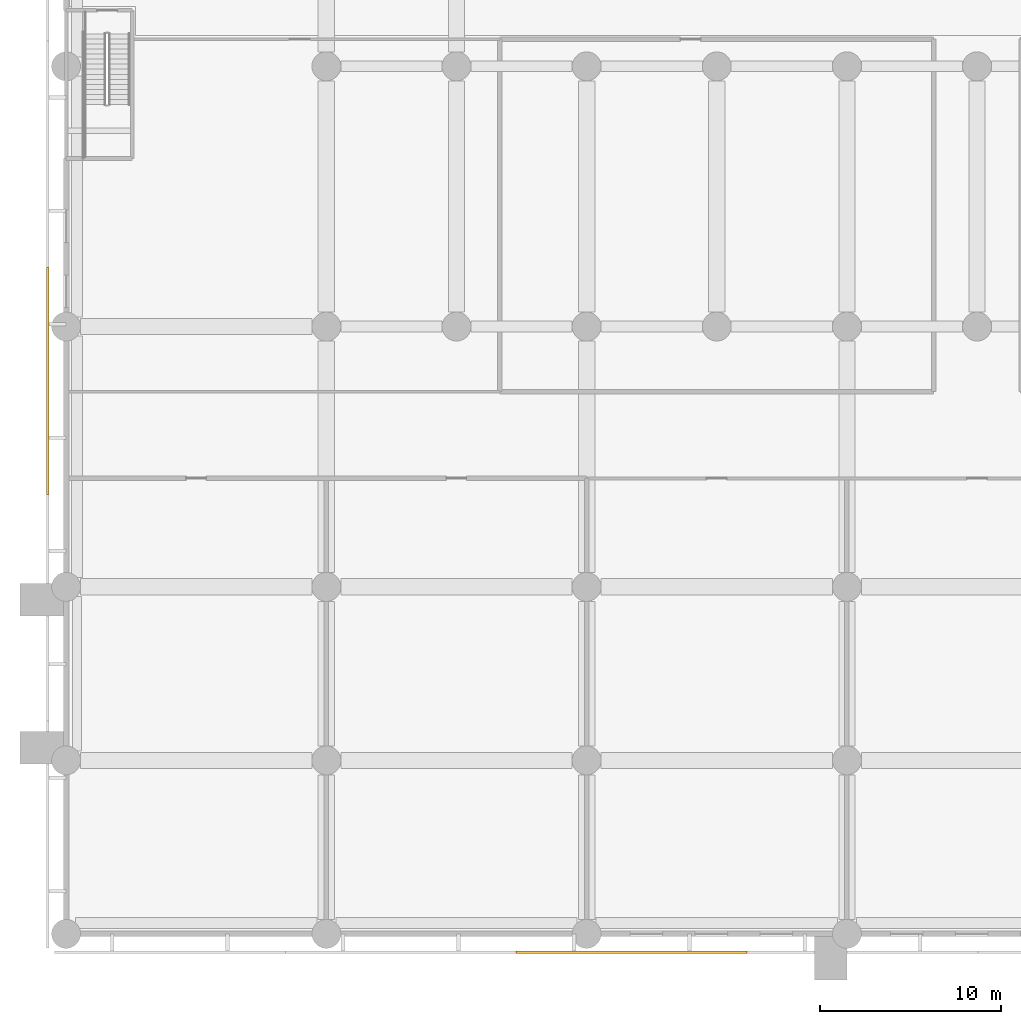
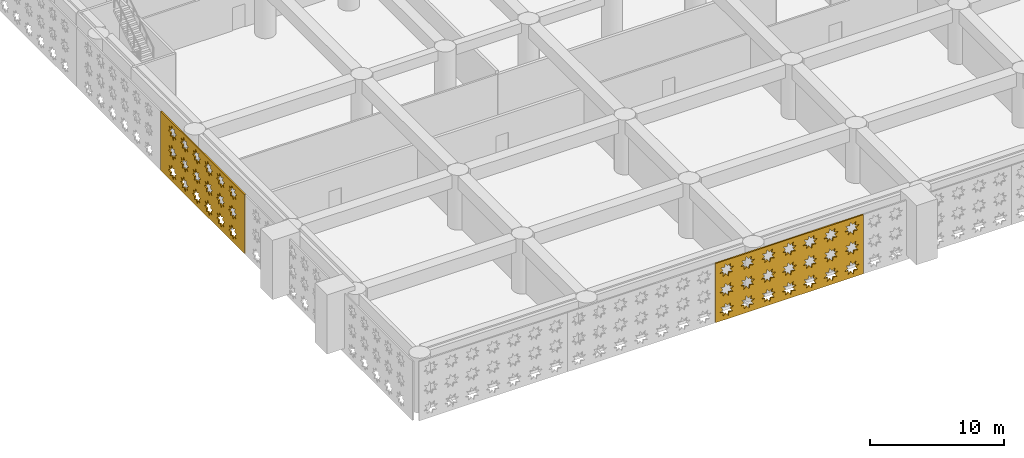
# One storey, part 15 of 30: 2 coverings.
"""IFC4 building model written with IfcOpenShell, lengths in metres."""

from ifc_helpers import new_model, si_unit, direction, frame, origin, place, context, subcontext, project, spatial, polyline, outline, extrude, material, layer, layer_set, type_object, element, save


model = new_model("IFC4")

# Units and contexts
model_context = context("Model", 3, precision=1e-05, world=origin(), true_north=direction((0.0, 1.0)))
body_context = subcontext(model_context, "Body", "Model", "MODEL_VIEW")
ifc_project = project(units=[si_unit("LENGTHUNIT", "METRE"), si_unit("AREAUNIT", "SQUARE_METRE"), si_unit("VOLUMEUNIT", "CUBIC_METRE"), si_unit("PLANEANGLEUNIT", "RADIAN"), si_unit("MASSUNIT", "GRAM", prefix="KILO")], contexts=[model_context])

# Site, building, storey
site_placement = place(None, origin())
site = spatial("IfcSite", under=ifc_project, at=site_placement, CompositionType="ELEMENT")
building_placement = place(site_placement, origin())
building = spatial("IfcBuilding", under=site, at=building_placement, Name="Saffron Iwan Residences", CompositionType="ELEMENT")
storey_placement = place(building_placement, frame((0.0, 0.0, 7.800048828125)))
storey = spatial("IfcBuildingStorey", under=building, at=storey_placement, Name="L01", CompositionType="ELEMENT", Elevation=7.800048828125)

# Coverings
ifc_material = material(Name="Terracotta screen, precast concrete C40/50", Category="masonry")
ifc_layer = layer(ifc_material, 0.1201171875)
ifc_layer_set = layer_set([ifc_layer], Name="Terracotta screen, precast concrete C40/50")
covering_type = type_object("IfcCoveringType", Name="PODIUM SCREEN GIRIH", PredefinedType="CLADDING", material=ifc_layer_set)
covering_1_placement = place(storey_placement, frame((24.905029296875, -0.949951171875, -0.400146484375), z_axis=(0.0, -1.0, 0.0), x_axis=(1.0, 0.0, 0.0)))
element("IfcCovering", 1, at=covering_1_placement, inside=storey, type_object=covering_type, Name="SCREEN girih terracotta L01 F0.2", PredefinedType="CLADDING", context=body_context, shape_type="SweptSolid", body=[
    extrude(outline(polyline([(0.0, 0.0), (12.777587890625, 0.0), (12.777587890625, 5.39990234375), (0.0, 5.39990234375), (0.0, 0.0)]), holes=[polyline([(1.5966796875, 1.02099609375), (1.271484375, 1.0888671875), (1.333251953125, 1.41552734375), (1.05517578125, 1.2333984375), (0.867919921875, 1.508056640625), (0.7998046875, 1.1826171875), (0.47314453125, 1.244384765625), (0.6552734375, 0.96630859375), (0.380615234375, 0.779052734375), (0.7060546875, 0.711181640625), (0.644287109375, 0.384521484375), (0.92236328125, 0.56640625), (1.109619140625, 0.2919921875), (1.177490234375, 0.6171875), (1.50439453125, 0.555419921875), (1.322265625, 0.833740234375), (1.5966796875, 1.02099609375)]), polyline([(1.5966796875, 2.821044921875), (1.271484375, 2.888916015625), (1.333251953125, 3.215576171875), (1.05517578125, 3.033447265625), (0.867919921875, 3.30810546875), (0.7998046875, 2.982666015625), (0.47314453125, 3.04443359375), (0.6552734375, 2.766357421875), (0.380615234375, 2.5791015625), (0.7060546875, 2.510986328125), (0.644287109375, 2.1845703125), (0.92236328125, 2.366455078125), (1.109619140625, 2.091796875), (1.177490234375, 2.417236328125), (1.50439453125, 2.35546875), (1.322265625, 2.6337890625), (1.5966796875, 2.821044921875)]), polyline([(1.5966796875, 4.62109375), (1.271484375, 4.68896484375), (1.333251953125, 5.015380859375), (1.05517578125, 4.83349609375), (0.867919921875, 5.108154296875), (0.7998046875, 4.78271484375), (0.47314453125, 4.844482421875), (0.6552734375, 4.56640625), (0.380615234375, 4.37890625), (0.7060546875, 4.31103515625), (0.644287109375, 3.984619140625), (0.92236328125, 4.16650390625), (1.109619140625, 3.891845703125), (1.177490234375, 4.21728515625), (1.50439453125, 4.155517578125), (1.322265625, 4.43359375), (1.5966796875, 4.62109375)]), polyline([(3.396728515625, 1.02099609375), (3.0712890625, 1.0888671875), (3.13330078125, 1.41552734375), (2.85498046875, 1.2333984375), (2.667724609375, 1.508056640625), (2.599853515625, 1.1826171875), (2.273193359375, 1.244384765625), (2.455322265625, 0.96630859375), (2.1806640625, 0.779052734375), (2.506103515625, 0.711181640625), (2.4443359375, 0.384521484375), (2.722412109375, 0.56640625), (2.90966796875, 0.2919921875), (2.9775390625, 0.6171875), (3.30419921875, 0.555419921875), (3.122314453125, 0.833740234375), (3.396728515625, 1.02099609375)]), polyline([(3.396728515625, 2.821044921875), (3.0712890625, 2.888916015625), (3.13330078125, 3.215576171875), (2.85498046875, 3.033447265625), (2.667724609375, 3.30810546875), (2.599853515625, 2.982666015625), (2.273193359375, 3.04443359375), (2.455322265625, 2.766357421875), (2.1806640625, 2.5791015625), (2.506103515625, 2.510986328125), (2.4443359375, 2.1845703125), (2.722412109375, 2.366455078125), (2.90966796875, 2.091796875), (2.9775390625, 2.417236328125), (3.30419921875, 2.35546875), (3.122314453125, 2.6337890625), (3.396728515625, 2.821044921875)]), polyline([(3.396728515625, 4.62109375), (3.0712890625, 4.68896484375), (3.13330078125, 5.015380859375), (2.85498046875, 4.83349609375), (2.667724609375, 5.108154296875), (2.599853515625, 4.78271484375), (2.273193359375, 4.844482421875), (2.455322265625, 4.56640625), (2.1806640625, 4.37890625), (2.506103515625, 4.31103515625), (2.4443359375, 3.984619140625), (2.722412109375, 4.16650390625), (2.90966796875, 3.891845703125), (2.9775390625, 4.21728515625), (3.30419921875, 4.155517578125), (3.122314453125, 4.43359375), (3.396728515625, 4.62109375)]), polyline([(5.19677734375, 1.02099609375), (4.871337890625, 1.0888671875), (4.93310546875, 1.41552734375), (4.655029296875, 1.2333984375), (4.4677734375, 1.508056640625), (4.39990234375, 1.1826171875), (4.0732421875, 1.244384765625), (4.25537109375, 0.96630859375), (3.980712890625, 0.779052734375), (4.30615234375, 0.711181640625), (4.244384765625, 0.384521484375), (4.5224609375, 0.56640625), (4.709716796875, 0.2919921875), (4.777587890625, 0.6171875), (5.104248046875, 0.555419921875), (4.922119140625, 0.833740234375), (5.19677734375, 1.02099609375)]), polyline([(5.19677734375, 2.821044921875), (4.871337890625, 2.888916015625), (4.93310546875, 3.215576171875), (4.655029296875, 3.033447265625), (4.4677734375, 3.30810546875), (4.39990234375, 2.982666015625), (4.0732421875, 3.04443359375), (4.25537109375, 2.766357421875), (3.980712890625, 2.5791015625), (4.30615234375, 2.510986328125), (4.244384765625, 2.1845703125), (4.5224609375, 2.366455078125), (4.709716796875, 2.091796875), (4.777587890625, 2.417236328125), (5.104248046875, 2.35546875), (4.922119140625, 2.6337890625), (5.19677734375, 2.821044921875)]), polyline([(5.19677734375, 4.62109375), (4.871337890625, 4.68896484375), (4.93310546875, 5.015380859375), (4.655029296875, 4.83349609375), (4.4677734375, 5.108154296875), (4.39990234375, 4.78271484375), (4.0732421875, 4.844482421875), (4.25537109375, 4.56640625), (3.980712890625, 4.37890625), (4.30615234375, 4.31103515625), (4.244384765625, 3.984619140625), (4.5224609375, 4.16650390625), (4.709716796875, 3.891845703125), (4.777587890625, 4.21728515625), (5.104248046875, 4.155517578125), (4.922119140625, 4.43359375), (5.19677734375, 4.62109375)]), polyline([(6.996826171875, 1.02099609375), (6.67138671875, 1.0888671875), (6.733154296875, 1.41552734375), (6.455078125, 1.2333984375), (6.267822265625, 1.508056640625), (6.199951171875, 1.1826171875), (5.873291015625, 1.244384765625), (6.055419921875, 0.96630859375), (5.78076171875, 0.779052734375), (6.106201171875, 0.711181640625), (6.044189453125, 0.384521484375), (6.322509765625, 0.56640625), (6.509765625, 0.2919921875), (6.57763671875, 0.6171875), (6.904296875, 0.555419921875), (6.72216796875, 0.833740234375), (6.996826171875, 1.02099609375)]), polyline([(6.996826171875, 2.821044921875), (6.67138671875, 2.888916015625), (6.733154296875, 3.215576171875), (6.455078125, 3.033447265625), (6.267822265625, 3.30810546875), (6.199951171875, 2.982666015625), (5.873291015625, 3.04443359375), (6.055419921875, 2.766357421875), (5.78076171875, 2.5791015625), (6.106201171875, 2.510986328125), (6.044189453125, 2.1845703125), (6.322509765625, 2.366455078125), (6.509765625, 2.091796875), (6.57763671875, 2.417236328125), (6.904296875, 2.35546875), (6.72216796875, 2.6337890625), (6.996826171875, 2.821044921875)]), polyline([(6.996826171875, 4.62109375), (6.67138671875, 4.68896484375), (6.733154296875, 5.015380859375), (6.455078125, 4.83349609375), (6.267822265625, 5.108154296875), (6.199951171875, 4.78271484375), (5.873291015625, 4.844482421875), (6.055419921875, 4.56640625), (5.78076171875, 4.37890625), (6.106201171875, 4.31103515625), (6.044189453125, 3.984619140625), (6.322509765625, 4.16650390625), (6.509765625, 3.891845703125), (6.57763671875, 4.21728515625), (6.904296875, 4.155517578125), (6.72216796875, 4.43359375), (6.996826171875, 4.62109375)]), polyline([(8.796875, 1.02099609375), (8.471435546875, 1.0888671875), (8.533203125, 1.41552734375), (8.255126953125, 1.2333984375), (8.06787109375, 1.508056640625), (8.0, 1.1826171875), (7.673095703125, 1.244384765625), (7.855224609375, 0.96630859375), (7.580810546875, 0.779052734375), (7.906005859375, 0.711181640625), (7.84423828125, 0.384521484375), (8.122314453125, 0.56640625), (8.309814453125, 0.2919921875), (8.377685546875, 0.6171875), (8.704345703125, 0.555419921875), (8.522216796875, 0.833740234375), (8.796875, 1.02099609375)]), polyline([(8.796875, 2.821044921875), (8.471435546875, 2.888916015625), (8.533203125, 3.215576171875), (8.255126953125, 3.033447265625), (8.06787109375, 3.30810546875), (8.0, 2.982666015625), (7.673095703125, 3.04443359375), (7.855224609375, 2.766357421875), (7.580810546875, 2.5791015625), (7.906005859375, 2.510986328125), (7.84423828125, 2.1845703125), (8.122314453125, 2.366455078125), (8.309814453125, 2.091796875), (8.377685546875, 2.417236328125), (8.704345703125, 2.35546875), (8.522216796875, 2.6337890625), (8.796875, 2.821044921875)]), polyline([(8.796875, 4.62109375), (8.471435546875, 4.68896484375), (8.533203125, 5.015380859375), (8.255126953125, 4.83349609375), (8.06787109375, 5.108154296875), (8.0, 4.78271484375), (7.673095703125, 4.844482421875), (7.855224609375, 4.56640625), (7.580810546875, 4.37890625), (7.906005859375, 4.31103515625), (7.84423828125, 3.984619140625), (8.122314453125, 4.16650390625), (8.309814453125, 3.891845703125), (8.377685546875, 4.21728515625), (8.704345703125, 4.155517578125), (8.522216796875, 4.43359375), (8.796875, 4.62109375)]), polyline([(10.5966796875, 1.02099609375), (10.271484375, 1.0888671875), (10.333251953125, 1.41552734375), (10.05517578125, 1.2333984375), (9.867919921875, 1.508056640625), (9.7998046875, 1.1826171875), (9.47314453125, 1.244384765625), (9.6552734375, 0.96630859375), (9.380615234375, 0.779052734375), (9.7060546875, 0.711181640625), (9.644287109375, 0.384521484375), (9.92236328125, 0.56640625), (10.109619140625, 0.2919921875), (10.177490234375, 0.6171875), (10.50439453125, 0.555419921875), (10.322265625, 0.833740234375), (10.5966796875, 1.02099609375)]), polyline([(10.5966796875, 2.821044921875), (10.271484375, 2.888916015625), (10.333251953125, 3.215576171875), (10.05517578125, 3.033447265625), (9.867919921875, 3.30810546875), (9.7998046875, 2.982666015625), (9.47314453125, 3.04443359375), (9.6552734375, 2.766357421875), (9.380615234375, 2.5791015625), (9.7060546875, 2.510986328125), (9.644287109375, 2.1845703125), (9.92236328125, 2.366455078125), (10.109619140625, 2.091796875), (10.177490234375, 2.417236328125), (10.50439453125, 2.35546875), (10.322265625, 2.6337890625), (10.5966796875, 2.821044921875)]), polyline([(10.5966796875, 4.62109375), (10.271484375, 4.68896484375), (10.333251953125, 5.015380859375), (10.05517578125, 4.83349609375), (9.867919921875, 5.108154296875), (9.7998046875, 4.78271484375), (9.47314453125, 4.844482421875), (9.6552734375, 4.56640625), (9.380615234375, 4.37890625), (9.7060546875, 4.31103515625), (9.644287109375, 3.984619140625), (9.92236328125, 4.16650390625), (10.109619140625, 3.891845703125), (10.177490234375, 4.21728515625), (10.50439453125, 4.155517578125), (10.322265625, 4.43359375), (10.5966796875, 4.62109375)]), polyline([(12.396728515625, 1.02099609375), (12.0712890625, 1.0888671875), (12.13330078125, 1.41552734375), (11.85498046875, 1.2333984375), (11.667724609375, 1.508056640625), (11.599853515625, 1.1826171875), (11.273193359375, 1.244384765625), (11.455322265625, 0.96630859375), (11.1806640625, 0.779052734375), (11.506103515625, 0.711181640625), (11.4443359375, 0.384521484375), (11.722412109375, 0.56640625), (11.90966796875, 0.2919921875), (11.9775390625, 0.6171875), (12.30419921875, 0.555419921875), (12.122314453125, 0.833740234375), (12.396728515625, 1.02099609375)]), polyline([(12.396728515625, 2.821044921875), (12.0712890625, 2.888916015625), (12.13330078125, 3.215576171875), (11.85498046875, 3.033447265625), (11.667724609375, 3.30810546875), (11.599853515625, 2.982666015625), (11.273193359375, 3.04443359375), (11.455322265625, 2.766357421875), (11.1806640625, 2.5791015625), (11.506103515625, 2.510986328125), (11.4443359375, 2.1845703125), (11.722412109375, 2.366455078125), (11.90966796875, 2.091796875), (11.9775390625, 2.417236328125), (12.30419921875, 2.35546875), (12.122314453125, 2.6337890625), (12.396728515625, 2.821044921875)]), polyline([(12.396728515625, 4.62109375), (12.0712890625, 4.68896484375), (12.13330078125, 5.015380859375), (11.85498046875, 4.83349609375), (11.667724609375, 5.108154296875), (11.599853515625, 4.78271484375), (11.273193359375, 4.844482421875), (11.455322265625, 4.56640625), (11.1806640625, 4.37890625), (11.506103515625, 4.31103515625), (11.4443359375, 3.984619140625), (11.722412109375, 4.16650390625), (11.90966796875, 3.891845703125), (11.9775390625, 4.21728515625), (12.30419921875, 4.155517578125), (12.122314453125, 4.43359375), (12.396728515625, 4.62109375)])]), origin(), (0.0, 0.0, 1.0), 0.1201171875),
])
covering_2_placement = place(storey_placement, frame((-0.949951171875, 36.8671875, -0.400146484375), z_axis=(-1.0, 0.0, 0.0), x_axis=(0.0, -1.0, 0.0)))
element("IfcCovering", 2, at=covering_2_placement, inside=storey, type_object=covering_type, Name="SCREEN girih terracotta L01 F3.4", PredefinedType="CLADDING", context=body_context, shape_type="SweptSolid", body=[
    extrude(outline(polyline([(0.0, 0.0), (12.545654296875, 0.0), (12.545654296875, 5.39990234375), (0.0, 5.39990234375), (0.0, 0.0)]), holes=[polyline([(2.380859375, 1.02099609375), (2.0556640625, 1.0888671875), (2.1171875, 1.41552734375), (1.839111328125, 1.2333984375), (1.65185546875, 1.508056640625), (1.583984375, 1.1826171875), (1.25732421875, 1.244384765625), (1.439453125, 0.96630859375), (1.164794921875, 0.779052734375), (1.490234375, 0.711181640625), (1.428466796875, 0.384521484375), (1.70654296875, 0.56640625), (1.893798828125, 0.2919921875), (1.9619140625, 0.6171875), (2.288330078125, 0.555419921875), (2.106201171875, 0.833740234375), (2.380859375, 1.02099609375)]), polyline([(2.380859375, 2.821044921875), (2.0556640625, 2.888916015625), (2.1171875, 3.215576171875), (1.839111328125, 3.033447265625), (1.65185546875, 3.30810546875), (1.583984375, 2.982666015625), (1.25732421875, 3.04443359375), (1.439453125, 2.766357421875), (1.164794921875, 2.5791015625), (1.490234375, 2.510986328125), (1.428466796875, 2.1845703125), (1.70654296875, 2.366455078125), (1.893798828125, 2.091796875), (1.9619140625, 2.417236328125), (2.288330078125, 2.35546875), (2.106201171875, 2.6337890625), (2.380859375, 2.821044921875)]), polyline([(2.380859375, 4.62109375), (2.0556640625, 4.68896484375), (2.1171875, 5.015380859375), (1.839111328125, 4.83349609375), (1.65185546875, 5.108154296875), (1.583984375, 4.78271484375), (1.25732421875, 4.844482421875), (1.439453125, 4.56640625), (1.164794921875, 4.37890625), (1.490234375, 4.31103515625), (1.428466796875, 3.984619140625), (1.70654296875, 4.16650390625), (1.893798828125, 3.891845703125), (1.9619140625, 4.21728515625), (2.288330078125, 4.155517578125), (2.106201171875, 4.43359375), (2.380859375, 4.62109375)]), polyline([(4.180908203125, 1.02099609375), (3.855712890625, 1.0888671875), (3.917236328125, 1.41552734375), (3.63916015625, 1.2333984375), (3.451904296875, 1.508056640625), (3.384033203125, 1.1826171875), (3.057373046875, 1.244384765625), (3.239501953125, 0.96630859375), (2.96484375, 0.779052734375), (3.290283203125, 0.711181640625), (3.228515625, 0.384521484375), (3.506591796875, 0.56640625), (3.69384765625, 0.2919921875), (3.76171875, 0.6171875), (4.08837890625, 0.555419921875), (3.90625, 0.833740234375), (4.180908203125, 1.02099609375)]), polyline([(4.180908203125, 2.821044921875), (3.855712890625, 2.888916015625), (3.917236328125, 3.215576171875), (3.63916015625, 3.033447265625), (3.451904296875, 3.30810546875), (3.384033203125, 2.982666015625), (3.057373046875, 3.04443359375), (3.239501953125, 2.766357421875), (2.96484375, 2.5791015625), (3.290283203125, 2.510986328125), (3.228515625, 2.1845703125), (3.506591796875, 2.366455078125), (3.69384765625, 2.091796875), (3.76171875, 2.417236328125), (4.08837890625, 2.35546875), (3.90625, 2.6337890625), (4.180908203125, 2.821044921875)]), polyline([(4.180908203125, 4.62109375), (3.855712890625, 4.68896484375), (3.917236328125, 5.015380859375), (3.63916015625, 4.83349609375), (3.451904296875, 5.108154296875), (3.384033203125, 4.78271484375), (3.057373046875, 4.844482421875), (3.239501953125, 4.56640625), (2.96484375, 4.37890625), (3.290283203125, 4.31103515625), (3.228515625, 3.984619140625), (3.506591796875, 4.16650390625), (3.69384765625, 3.891845703125), (3.76171875, 4.21728515625), (4.08837890625, 4.155517578125), (3.90625, 4.43359375), (4.180908203125, 4.62109375)]), polyline([(5.98095703125, 1.02099609375), (5.655517578125, 1.0888671875), (5.71728515625, 1.41552734375), (5.439208984375, 1.2333984375), (5.251953125, 1.508056640625), (5.18408203125, 1.1826171875), (4.857421875, 1.244384765625), (5.039306640625, 0.96630859375), (4.764892578125, 0.779052734375), (5.090087890625, 0.711181640625), (5.0283203125, 0.384521484375), (5.306396484375, 0.56640625), (5.493896484375, 0.2919921875), (5.561767578125, 0.6171875), (5.888427734375, 0.555419921875), (5.706298828125, 0.833740234375), (5.98095703125, 1.02099609375)]), polyline([(5.98095703125, 2.821044921875), (5.655517578125, 2.888916015625), (5.71728515625, 3.215576171875), (5.439208984375, 3.033447265625), (5.251953125, 3.30810546875), (5.18408203125, 2.982666015625), (4.857421875, 3.04443359375), (5.039306640625, 2.766357421875), (4.764892578125, 2.5791015625), (5.090087890625, 2.510986328125), (5.0283203125, 2.1845703125), (5.306396484375, 2.366455078125), (5.493896484375, 2.091796875), (5.561767578125, 2.417236328125), (5.888427734375, 2.35546875), (5.706298828125, 2.6337890625), (5.98095703125, 2.821044921875)]), polyline([(5.98095703125, 4.62109375), (5.655517578125, 4.68896484375), (5.71728515625, 5.015380859375), (5.439208984375, 4.83349609375), (5.251953125, 5.108154296875), (5.18408203125, 4.78271484375), (4.857421875, 4.844482421875), (5.039306640625, 4.56640625), (4.764892578125, 4.37890625), (5.090087890625, 4.31103515625), (5.0283203125, 3.984619140625), (5.306396484375, 4.16650390625), (5.493896484375, 3.891845703125), (5.561767578125, 4.21728515625), (5.888427734375, 4.155517578125), (5.706298828125, 4.43359375), (5.98095703125, 4.62109375)]), polyline([(7.781005859375, 1.02099609375), (7.45556640625, 1.0888671875), (7.517333984375, 1.41552734375), (7.2392578125, 1.2333984375), (7.052001953125, 1.508056640625), (6.98388671875, 1.1826171875), (6.6572265625, 1.244384765625), (6.83935546875, 0.96630859375), (6.564697265625, 0.779052734375), (6.89013671875, 0.711181640625), (6.828369140625, 0.384521484375), (7.1064453125, 0.56640625), (7.293701171875, 0.2919921875), (7.36181640625, 0.6171875), (7.6884765625, 0.555419921875), (7.50634765625, 0.833740234375), (7.781005859375, 1.02099609375)]), polyline([(7.781005859375, 2.821044921875), (7.45556640625, 2.888916015625), (7.517333984375, 3.215576171875), (7.2392578125, 3.033447265625), (7.052001953125, 3.30810546875), (6.98388671875, 2.982666015625), (6.6572265625, 3.04443359375), (6.83935546875, 2.766357421875), (6.564697265625, 2.5791015625), (6.89013671875, 2.510986328125), (6.828369140625, 2.1845703125), (7.1064453125, 2.366455078125), (7.293701171875, 2.091796875), (7.36181640625, 2.417236328125), (7.6884765625, 2.35546875), (7.50634765625, 2.6337890625), (7.781005859375, 2.821044921875)]), polyline([(7.781005859375, 4.62109375), (7.45556640625, 4.68896484375), (7.517333984375, 5.015380859375), (7.2392578125, 4.83349609375), (7.052001953125, 5.108154296875), (6.98388671875, 4.78271484375), (6.6572265625, 4.844482421875), (6.83935546875, 4.56640625), (6.564697265625, 4.37890625), (6.89013671875, 4.31103515625), (6.828369140625, 3.984619140625), (7.1064453125, 4.16650390625), (7.293701171875, 3.891845703125), (7.36181640625, 4.21728515625), (7.6884765625, 4.155517578125), (7.50634765625, 4.43359375), (7.781005859375, 4.62109375)]), polyline([(9.580810546875, 1.02099609375), (9.255615234375, 1.0888671875), (9.3173828125, 1.41552734375), (9.039306640625, 1.2333984375), (8.851806640625, 1.508056640625), (8.783935546875, 1.1826171875), (8.457275390625, 1.244384765625), (8.639404296875, 0.96630859375), (8.36474609375, 0.779052734375), (8.690185546875, 0.711181640625), (8.62841796875, 0.384521484375), (8.906494140625, 0.56640625), (9.09375, 0.2919921875), (9.161865234375, 0.6171875), (9.48828125, 0.555419921875), (9.306396484375, 0.833740234375), (9.580810546875, 1.02099609375)]), polyline([(9.580810546875, 2.821044921875), (9.255615234375, 2.888916015625), (9.3173828125, 3.215576171875), (9.039306640625, 3.033447265625), (8.851806640625, 3.30810546875), (8.783935546875, 2.982666015625), (8.457275390625, 3.04443359375), (8.639404296875, 2.766357421875), (8.36474609375, 2.5791015625), (8.690185546875, 2.510986328125), (8.62841796875, 2.1845703125), (8.906494140625, 2.366455078125), (9.09375, 2.091796875), (9.161865234375, 2.417236328125), (9.48828125, 2.35546875), (9.306396484375, 2.6337890625), (9.580810546875, 2.821044921875)]), polyline([(9.580810546875, 4.62109375), (9.255615234375, 4.68896484375), (9.3173828125, 5.015380859375), (9.039306640625, 4.83349609375), (8.851806640625, 5.108154296875), (8.783935546875, 4.78271484375), (8.457275390625, 4.844482421875), (8.639404296875, 4.56640625), (8.36474609375, 4.37890625), (8.690185546875, 4.31103515625), (8.62841796875, 3.984619140625), (8.906494140625, 4.16650390625), (9.09375, 3.891845703125), (9.161865234375, 4.21728515625), (9.48828125, 4.155517578125), (9.306396484375, 4.43359375), (9.580810546875, 4.62109375)]), polyline([(11.380859375, 1.02099609375), (11.0556640625, 1.0888671875), (11.1171875, 1.41552734375), (10.839111328125, 1.2333984375), (10.65185546875, 1.508056640625), (10.583984375, 1.1826171875), (10.25732421875, 1.244384765625), (10.439453125, 0.96630859375), (10.164794921875, 0.779052734375), (10.490234375, 0.711181640625), (10.428466796875, 0.384521484375), (10.70654296875, 0.56640625), (10.893798828125, 0.2919921875), (10.9619140625, 0.6171875), (11.288330078125, 0.555419921875), (11.106201171875, 0.833740234375), (11.380859375, 1.02099609375)]), polyline([(11.380859375, 2.821044921875), (11.0556640625, 2.888916015625), (11.1171875, 3.215576171875), (10.839111328125, 3.033447265625), (10.65185546875, 3.30810546875), (10.583984375, 2.982666015625), (10.25732421875, 3.04443359375), (10.439453125, 2.766357421875), (10.164794921875, 2.5791015625), (10.490234375, 2.510986328125), (10.428466796875, 2.1845703125), (10.70654296875, 2.366455078125), (10.893798828125, 2.091796875), (10.9619140625, 2.417236328125), (11.288330078125, 2.35546875), (11.106201171875, 2.6337890625), (11.380859375, 2.821044921875)]), polyline([(11.380859375, 4.62109375), (11.0556640625, 4.68896484375), (11.1171875, 5.015380859375), (10.839111328125, 4.83349609375), (10.65185546875, 5.108154296875), (10.583984375, 4.78271484375), (10.25732421875, 4.844482421875), (10.439453125, 4.56640625), (10.164794921875, 4.37890625), (10.490234375, 4.31103515625), (10.428466796875, 3.984619140625), (10.70654296875, 4.16650390625), (10.893798828125, 3.891845703125), (10.9619140625, 4.21728515625), (11.288330078125, 4.155517578125), (11.106201171875, 4.43359375), (11.380859375, 4.62109375)])]), origin(), (0.0, 0.0, 1.0), 0.1201171875),
])

save(model, "model.ifc")
